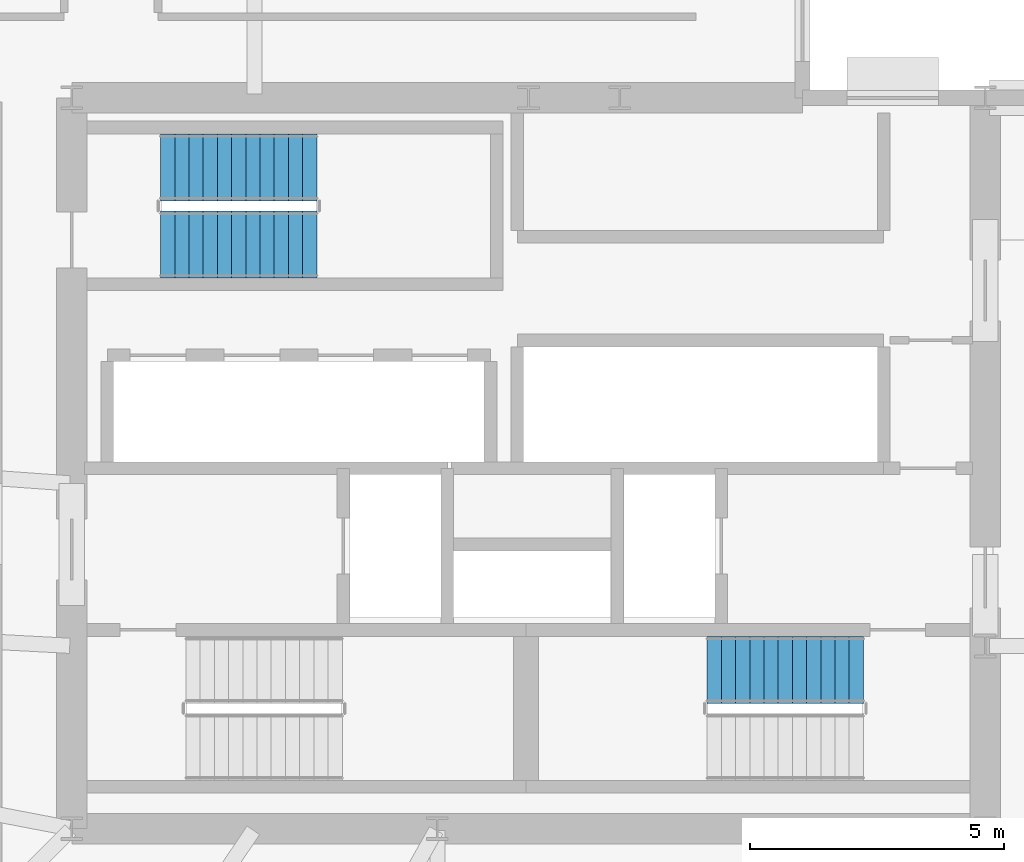
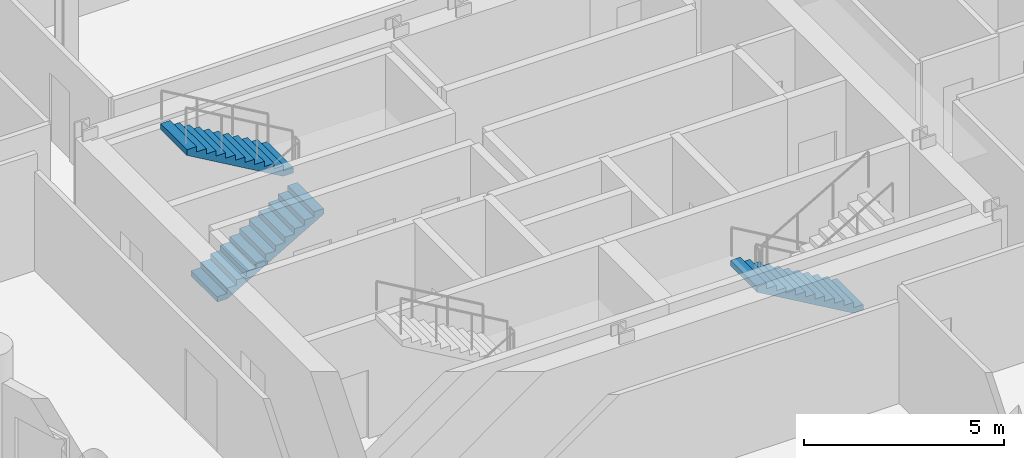
# One storey, part 11 of 13: 3 stair flights, 2 elements without a shape of their own.
"""IFC4 building model written with IfcOpenShell, lengths in metres."""

import ifcopenshell
import ifcopenshell.guid

model = None  # the IFC model being written
_history = None  # IfcOwnerHistory: only IFC2X3 demands one
_inside = {}  # id of a spatial element -> (the spatial element, [elements in it])
_under = {}  # id of a project, library or spatial element -> (it, [spatial elements below it])
_declared = {}  # id of a project -> (the project, [libraries it declares])
_typed = {}  # id of a type object -> (the type object, [elements of that type])
_made_of = {}  # id of a material, layer set ... -> (it, [elements and type objects made of it])


def new_model(schema):
    """Start an empty IFC model of exactly this schema.

    Asked for "IFC4X3", IfcOpenShell would pick the latest addendum, in which some entities
    have other attributes; the version numbers below select the first issue.
    IFC2X3 requires an IfcOwnerHistory on every rooted entity: one is made here for all.
    """
    global model, _history
    if schema == "IFC4X3":
        model = ifcopenshell.file(schema_version=(4, 3, 0, 0))
    else:
        model = ifcopenshell.file(schema=schema)
    _inside.clear()
    _under.clear()
    _declared.clear()
    _typed.clear()
    _made_of.clear()
    _history = None
    if model.schema == "IFC2X3":
        org = make("IfcOrganization", Name="unknown")
        user = make(
            "IfcPersonAndOrganization",
            ThePerson=make("IfcPerson", FamilyName="unknown"),
            TheOrganization=org,
        )
        app = make(
            "IfcApplication",
            ApplicationDeveloper=org,
            Version="unknown",
            ApplicationFullName="unknown",
            ApplicationIdentifier="unknown",
        )
        _history = make(
            "IfcOwnerHistory",
            OwningUser=user,
            OwningApplication=app,
            ChangeAction="ADDED",
            CreationDate=0,
        )
    return model


def make(cls, **values):
    """One entity of the class cls with the attributes given. An attribute that is None is left unset."""
    return model.create_entity(
        cls, **{name: value for name, value in values.items() if value is not None}
    )


def rooted(cls, **values):
    """An entity with a GlobalId (a new one), such as an element, a storey or a relation."""
    return make(cls, GlobalId=ifcopenshell.guid.new(), OwnerHistory=_history, **values)


def si_unit(unit_type, name, prefix=None):
    """IfcSIUnit, for example si_unit("LENGTHUNIT", "METRE", prefix="MILLI")."""
    return make("IfcSIUnit", UnitType=unit_type, Prefix=prefix, Name=name)


def assignment(units):
    """IfcUnitAssignment: the units of a project."""
    return None if units is None else make("IfcUnitAssignment", Units=units)


def point(xyz):
    """IfcCartesianPoint."""
    return None if xyz is None else make("IfcCartesianPoint", Coordinates=xyz)


def direction(xyz):
    """IfcDirection."""
    return None if xyz is None else make("IfcDirection", DirectionRatios=xyz)


def frame(location, z_axis=None, x_axis=None):
    """IfcAxis2Placement3D, a coordinate frame: its origin and axes. An axis left out is left unset."""
    return make(
        "IfcAxis2Placement3D",
        Location=point(location),
        Axis=direction(z_axis),
        RefDirection=direction(x_axis),
    )


def origin():
    """The frame at (0, 0, 0) with its axes left unset."""
    return frame((0.0, 0.0, 0.0))


def place(relative_to, where):
    """IfcLocalPlacement: puts the frame where relative to a parent placement (None: the world)."""
    return make(
        "IfcLocalPlacement", PlacementRelTo=relative_to, RelativePlacement=where
    )


def context(
    kind, dimensions, precision=None, world=None, true_north=None, identifier=None
):
    """IfcGeometricRepresentationContext, for example the 3D "Model" context."""
    return make(
        "IfcGeometricRepresentationContext",
        ContextIdentifier=identifier,
        ContextType=kind,
        CoordinateSpaceDimension=dimensions,
        Precision=precision,
        WorldCoordinateSystem=world,
        TrueNorth=true_north,
    )


def subcontext(parent, identifier, kind, view, scale=None):
    """IfcGeometricRepresentationSubContext, for example "Body" below "Model"."""
    return make(
        "IfcGeometricRepresentationSubContext",
        ContextIdentifier=identifier,
        ContextType=kind,
        ParentContext=parent,
        TargetScale=scale,
        TargetView=view,
    )


def project(units=None, contexts=None):
    """IfcProject with its units and contexts."""
    return rooted(
        "IfcProject",
        Name="project",
        RepresentationContexts=contexts,
        UnitsInContext=assignment(units),
    )


def spatial(cls, under=None, at=None, **own):
    """A site, building, storey or space (cls), placed at a placement, below another one or the project."""
    s = rooted(cls, ObjectPlacement=at, **own)
    if under is not None:
        _under.setdefault(under.id(), (under, []))[1].append(s)
    return s


def polyline(points):
    """IfcPolyline through the points."""
    return make("IfcPolyline", Points=[point(p) for p in points])


def outline(outer, holes=None, kind="AREA"):
    """IfcArbitraryClosedProfileDef: a profile drawn as a closed curve; with holes, ...WithVoids."""
    if holes is None:
        return make("IfcArbitraryClosedProfileDef", ProfileType=kind, OuterCurve=outer)
    return make(
        "IfcArbitraryProfileDefWithVoids",
        ProfileType=kind,
        OuterCurve=outer,
        InnerCurves=holes,
    )


def extrude(swept, where, along, depth):
    """IfcExtrudedAreaSolid: the profile swept, set in the frame where, extruded along a direction by depth."""
    return make(
        "IfcExtrudedAreaSolid",
        SweptArea=swept,
        Position=where,
        ExtrudedDirection=direction(along),
        Depth=depth,
    )


def shape(context_of_items, identifier, shape_type, items):
    """IfcShapeRepresentation: the items that make up one representation, for example the "Body"."""
    return make(
        "IfcShapeRepresentation",
        ContextOfItems=context_of_items,
        RepresentationIdentifier=identifier,
        RepresentationType=shape_type,
        Items=items,
    )


def material(Name=None, Category=None):
    """IfcMaterial."""
    return make("IfcMaterial", Name=Name, Category=Category)


def made_of(thing, what):
    """Note that an element or type object is made of a material, layer set ...; save() writes the relation."""
    if what is not None:
        _made_of.setdefault(what.id(), (what, []))[1].append(thing)
    return thing


def type_object(cls, material=None, **own):
    """A type object (cls), such as IfcWallType, which elements share."""
    return made_of(rooted(cls, **own), material)


def element(
    cls,
    number,
    at=None,
    inside=None,
    cuts=None,
    type_object=None,
    material=None,
    context=None,
    identifier="Body",
    shape_type=None,
    held_by="IfcProductDefinitionShape",
    body=None,
    shapes=None,
    **own,
):
    """One element of the class cls, such as IfcWall. Its Tag is "e" and its number.

    at: its placement. inside: the storey or other place that contains it. cuts: it is an
    opening in that element (IfcRelVoidsElement). A single representation is given by context,
    identifier, shape_type and body (its items); several are given by shapes. held_by: the class
    of the entity that holds the representations. save() writes the other relations.
    """
    e = rooted(cls, Tag="e%d" % number, ObjectPlacement=at, **own)
    if body is not None:
        shapes = [shape(context, identifier, shape_type, body)]
    if shapes is not None:
        e.Representation = make(held_by, Representations=shapes)
    if inside is not None:
        _inside.setdefault(inside.id(), (inside, []))[1].append(e)
    if cuts is not None:
        rooted(
            "IfcRelVoidsElement", RelatingBuildingElement=cuts, RelatedOpeningElement=e
        )
    if type_object is not None:
        _typed.setdefault(type_object.id(), (type_object, []))[1].append(e)
    return made_of(e, material)


def aggregate(whole, parts):
    """IfcRelAggregates: a whole, such as a stair, and the parts it consists of."""
    return rooted("IfcRelAggregates", RelatingObject=whole, RelatedObjects=parts)


def save(model, path):
    """Write the relations noted so far, then the file.

    IfcRelAggregates (storeys below a building ...), IfcRelContainedInSpatialStructure (elements
    in a storey), IfcRelDefinesByType, IfcRelAssociatesMaterial and IfcRelDeclares: one each for
    every whole, place, type object, material and project.
    """
    for whole, parts in _under.values():
        aggregate(whole, parts)
    for where, things in _inside.values():
        rooted(
            "IfcRelContainedInSpatialStructure",
            RelatedElements=things,
            RelatingStructure=where,
        )
    for kind, things in _typed.values():
        rooted("IfcRelDefinesByType", RelatedObjects=things, RelatingType=kind)
    for what, things in _made_of.values():
        rooted("IfcRelAssociatesMaterial", RelatedObjects=things, RelatingMaterial=what)
    for by, libraries in _declared.values():
        rooted("IfcRelDeclares", RelatingContext=by, RelatedDefinitions=libraries)
    model.write(path)


model = new_model("IFC4")

# Units and contexts
model_context = context("Model", 3, precision=1e-05, world=origin(), true_north=direction((0.0, 1.0)))
body_context = subcontext(model_context, "Body", "Model", "MODEL_VIEW")
ifc_project = project(units=[si_unit("LENGTHUNIT", "METRE"), si_unit("AREAUNIT", "SQUARE_METRE"), si_unit("VOLUMEUNIT", "CUBIC_METRE"), si_unit("PLANEANGLEUNIT", "RADIAN"), si_unit("MASSUNIT", "GRAM", prefix="KILO")], contexts=[model_context])

# Site, building, storey
site_placement = place(None, origin())
site = spatial("IfcSite", under=ifc_project, at=site_placement, CompositionType="ELEMENT")
building_placement = place(site_placement, origin())
building = spatial("IfcBuilding", under=site, at=building_placement, Name="Solnavia Interchange Tower", CompositionType="ELEMENT")
storey_placement = place(building_placement, frame((0.0, 0.0, 111.300048828125)))
storey = spatial("IfcBuildingStorey", under=building, at=storey_placement, Name="L27", CompositionType="ELEMENT", Elevation=111.300048828125)

# Stair, stair flight
ifc_material = material(Name="Concrete C40/50", Category="concrete")
stair_type = type_object("IfcStairType", Name="Stair-Dogleg-RC", PredefinedType="HALF_TURN_STAIR", material=ifc_material)
stair_1_placement = place(storey_placement, origin())
stair_1 = element("IfcStair", 1, at=stair_1_placement, inside=storey, type_object=stair_type, Name="L27 Core exit stair 2", PredefinedType="HALF_TURN_STAIR")
stair_flight_type = type_object("IfcStairFlightType", Name="StairFlight-RC-150", PredefinedType="STRAIGHT", material=ifc_material)
stair_flight_1_placement = place(storey_placement, frame((30.0, 13.929931640625, 0.0), z_axis=(0.0, 0.0, 1.0), x_axis=(-1.0, 0.0, 0.0)))
stair_flight_1 = element("IfcStairFlight", 2, at=stair_flight_1_placement, type_object=stair_flight_type, Name="ST-2 flight 1", NumberOfRisers=12, NumberOfTreads=11, PredefinedType="STRAIGHT", RiserHeight=0.1625, TreadLength=0.28, context=body_context, shape_type="SweptSolid", body=[
    extrude(outline(polyline([(0.0, 0.0), (0.0, 0.16259765625), (0.280029296875, 0.16259765625), (0.280029296875, 0.324951171875), (0.56005859375, 0.324951171875), (0.56005859375, 0.487548828125), (0.840087890625, 0.487548828125), (0.840087890625, 0.64990234375), (1.1201171875, 0.64990234375), (1.1201171875, 0.8125), (1.39990234375, 0.8125), (1.39990234375, 0.97509765625), (1.679931640625, 0.97509765625), (1.679931640625, 1.137451171875), (1.9599609375, 1.137451171875), (1.9599609375, 1.300048828125), (2.239990234375, 1.300048828125), (2.239990234375, 1.46240234375), (2.52001953125, 1.46240234375), (2.52001953125, 1.625), (2.800048828125, 1.625), (2.800048828125, 1.78759765625), (3.080078125, 1.78759765625), (3.080078125, 1.949951171875), (3.080078125, 1.6142578125), (0.298583984375, 0.0), (0.0, 0.0)])), frame((0.0, 0.66015625, 0.0), z_axis=(0.0, -1.0, 0.0), x_axis=(1.0, 0.0, 0.0)), (0.0, 0.0, 1.0), 1.320068359375),
])
aggregate(stair_1, [stair_flight_1])

# Stair, stair flights
stair_2_placement = place(storey_placement, origin())
stair_2 = element("IfcStair", 3, at=stair_2_placement, inside=storey, type_object=stair_type, Name="L27 Core exit stair 3", PredefinedType="HALF_TURN_STAIR")
stair_flight_2_placement = place(storey_placement, frame((16.14990234375, 22.31005859375, 0.0), z_axis=(0.0, 0.0, 1.0), x_axis=(1.0, 0.0, 0.0)))
stair_flight_2 = element("IfcStairFlight", 4, at=stair_flight_2_placement, type_object=stair_flight_type, Name="ST-3 flight 1", NumberOfRisers=12, NumberOfTreads=11, PredefinedType="STRAIGHT", RiserHeight=0.1625, TreadLength=0.28, context=body_context, shape_type="SweptSolid", body=[
    extrude(outline(polyline([(0.0, 0.0), (0.0, 0.16259765625), (0.280029296875, 0.16259765625), (0.280029296875, 0.324951171875), (0.56005859375, 0.324951171875), (0.56005859375, 0.487548828125), (0.840087890625, 0.487548828125), (0.840087890625, 0.64990234375), (1.1201171875, 0.64990234375), (1.1201171875, 0.8125), (1.39990234375, 0.8125), (1.39990234375, 0.97509765625), (1.679931640625, 0.97509765625), (1.679931640625, 1.137451171875), (1.9599609375, 1.137451171875), (1.9599609375, 1.300048828125), (2.239990234375, 1.300048828125), (2.239990234375, 1.46240234375), (2.52001953125, 1.46240234375), (2.52001953125, 1.625), (2.800048828125, 1.625), (2.800048828125, 1.78759765625), (3.080078125, 1.78759765625), (3.080078125, 1.949951171875), (3.080078125, 1.6142578125), (0.298583984375, 0.0), (0.0, 0.0)])), frame((0.0, 0.66015625, 0.0), z_axis=(0.0, -1.0, 0.0), x_axis=(1.0, 0.0, 0.0)), (0.0, 0.0, 1.0), 1.320068359375),
])
stair_flight_3_placement = place(storey_placement, frame((19.22998046875, 23.830078125, 1.949951171875), z_axis=(0.0, 0.0, 1.0), x_axis=(-1.0, 0.0, 0.0)))
stair_flight_3 = element("IfcStairFlight", 5, at=stair_flight_3_placement, type_object=stair_flight_type, Name="ST-3 flight 2", NumberOfRisers=12, NumberOfTreads=11, PredefinedType="STRAIGHT", RiserHeight=0.1625, TreadLength=0.28, context=body_context, shape_type="SweptSolid", body=[
    extrude(outline(polyline([(0.0, 0.0), (0.0, 0.16259765625), (0.280029296875, 0.16259765625), (0.280029296875, 0.324951171875), (0.56005859375, 0.324951171875), (0.56005859375, 0.487548828125), (0.840087890625, 0.487548828125), (0.840087890625, 0.64990234375), (1.1201171875, 0.64990234375), (1.1201171875, 0.8125), (1.39990234375, 0.8125), (1.39990234375, 0.97509765625), (1.679931640625, 0.97509765625), (1.679931640625, 1.137451171875), (1.9599609375, 1.137451171875), (1.9599609375, 1.300048828125), (2.239990234375, 1.300048828125), (2.239990234375, 1.46240234375), (2.52001953125, 1.46240234375), (2.52001953125, 1.625), (2.800048828125, 1.625), (2.800048828125, 1.78759765625), (3.080078125, 1.78759765625), (3.080078125, 1.949951171875), (3.080078125, 1.6142578125), (0.298583984375, 0.0), (0.0, 0.0)])), frame((0.0, 0.66015625, 0.0), z_axis=(0.0, -1.0, 0.0), x_axis=(1.0, 0.0, 0.0)), (0.0, 0.0, 1.0), 1.320068359375),
])
aggregate(stair_2, [stair_flight_2, stair_flight_3])

save(model, "model.ifc")
